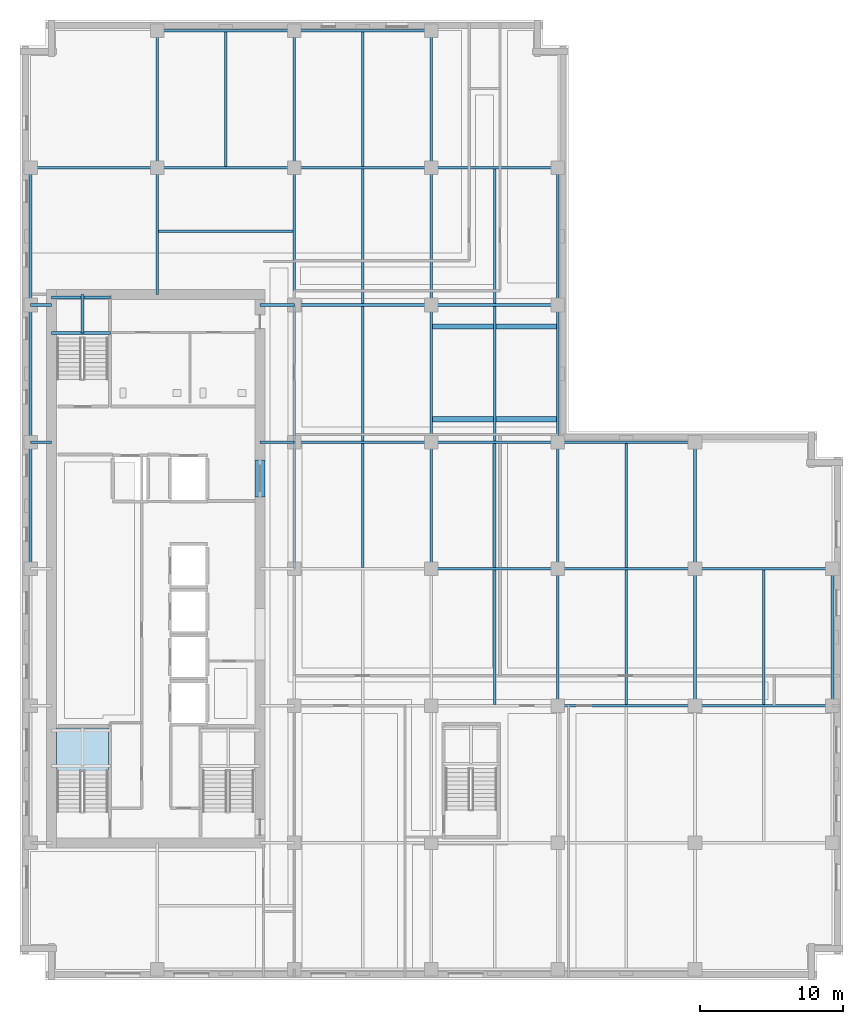
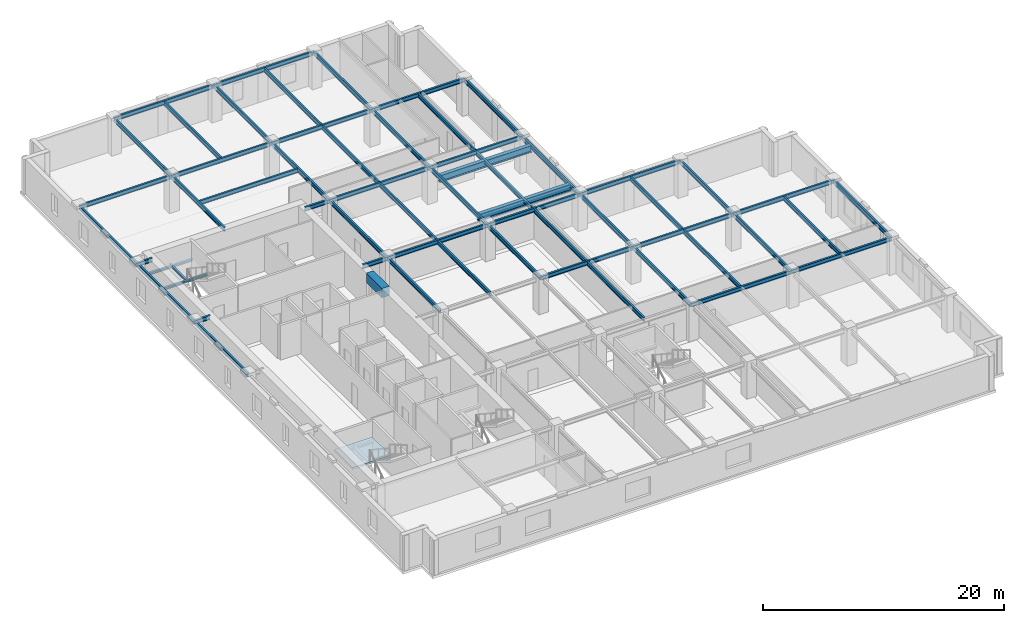
# One storey, part 2 of 13: 59 beams, 1 slab, 1 element without a shape of its own.
"""IFC4 building model written with IfcOpenShell, lengths in metres."""

from ifc_helpers import new_model, si_unit, direction, frame, origin, origin_2d, place, context, subcontext, project, spatial, polyline, rectangle, i_section, outline, extrude, material, layer, layer_set, material_profile, profile_set, type_object, element, aggregate, save


model = new_model("IFC4")

# Units and contexts
model_context = context("Model", 3, precision=1e-05, world=origin(), true_north=direction((0.0, 1.0)))
body_context = subcontext(model_context, "Body", "Model", "MODEL_VIEW")
ifc_project = project(units=[si_unit("LENGTHUNIT", "METRE"), si_unit("AREAUNIT", "SQUARE_METRE"), si_unit("VOLUMEUNIT", "CUBIC_METRE"), si_unit("PLANEANGLEUNIT", "RADIAN"), si_unit("MASSUNIT", "GRAM", prefix="KILO")], contexts=[model_context])

# Site, building, storey
site_placement = place(None, origin())
site = spatial("IfcSite", under=ifc_project, at=site_placement, CompositionType="ELEMENT")
building_placement = place(site_placement, origin())
building = spatial("IfcBuilding", under=site, at=building_placement, Name="Norrvale University Quadrangle", CompositionType="ELEMENT")
storey_placement = place(building_placement, frame((0.0, 0.0, 163.60009765625)))
storey = spatial("IfcBuildingStorey", under=building, at=storey_placement, Name="L41", CompositionType="ELEMENT", Elevation=163.60009765625)

# Beams
ifc_material_1 = material(Name="Steel 350W", Category="steel")
ifc_material_profile_1 = material_profile(ifc_material_1, i_section(OverallWidth=0.180908203125, OverallDepth=0.4169921875, WebThickness=0.010986328125, FlangeThickness=0.018310546875, FilletRadius=0.011962890625, at=origin_2d()), Name="Steel 350W")
ifc_profile_set_1 = profile_set([ifc_material_profile_1], Name="Steel 350W")
beam_type_1 = type_object("IfcBeamType", Name="Beam Atrium W410x85", PredefinedType="BEAM", material=ifc_profile_set_1)
for number, where, z_axis, x_axis, name in (
    (1, (37.64990234375, 19.199951171875, 3.331298828125), (1.0, 0.0, 0.0), (0.0, 1.0, 0.0), "Beam Atrium W410x85 BM-L41-GX011"),
    (2, (47.25, 19.199951171875, 3.331298828125), (1.0, 0.0, 0.0), (0.0, 1.0, 0.0), "Beam Atrium W410x85 BM-L41-GX012"),
):
    element("IfcBeam", number, at=place(storey_placement, frame(where, z_axis=z_axis, x_axis=x_axis)), inside=storey, type_object=beam_type_1, Name=name, PredefinedType="BEAM", context=body_context, shape_type="SweptSolid", body=[
        extrude(i_section(OverallWidth=0.180908203125, OverallDepth=0.4169921875, WebThickness=0.010986328125, FlangeThickness=0.018310546875, FilletRadius=0.011962890625, at=origin_2d()), origin(), (0.0, 0.0, 1.0), 9.60009765625),
    ])
beam_1_placement = place(storey_placement, frame((28.800048828125, 28.800048828125, 3.331298828125), z_axis=(1.0, 0.0, 0.0), x_axis=(0.0, 1.0, 0.0)))
element("IfcBeam", 3, at=beam_1_placement, inside=storey, type_object=beam_type_1, Name="Beam Atrium W410x85 BM-L41-GX014", PredefinedType="BEAM", context=body_context, shape_type="SweptSolid", body=[
    extrude(i_section(OverallWidth=0.180908203125, OverallDepth=0.4169921875, WebThickness=0.010986328125, FlangeThickness=0.018310546875, FilletRadius=0.011962890625, at=origin_2d()), origin(), (0.0, 0.0, 1.0), 8.849853515625),
])
for number, where, z_axis, x_axis, name in (
    (4, (37.64990234375, 28.800048828125, 3.331298828125), (1.0, 0.0, 0.0), (0.0, 1.0, 0.0), "Beam Atrium W410x85 BM-L41-GX015"),
    (5, (47.25, 28.800048828125, 3.331298828125), (1.0, 0.0, 0.0), (0.0, 1.0, 0.0), "Beam Atrium W410x85 BM-L41-GX016"),
    (6, (19.199951171875, 37.64990234375, 3.331298828125), (1.0, 0.0, 0.0), (0.0, 1.0, 0.0), "Beam Atrium W410x85 BM-L41-GX017"),
):
    element("IfcBeam", number, at=place(storey_placement, frame(where, z_axis=z_axis, x_axis=x_axis)), inside=storey, type_object=beam_type_1, Name=name, PredefinedType="BEAM", context=body_context, shape_type="SweptSolid", body=[
        extrude(i_section(OverallWidth=0.180908203125, OverallDepth=0.4169921875, WebThickness=0.010986328125, FlangeThickness=0.018310546875, FilletRadius=0.011962890625, at=origin_2d()), origin(), (0.0, 0.0, 1.0), 9.60009765625),
    ])
beam_2_placement = place(storey_placement, frame((28.800048828125, 37.64990234375, 3.331298828125), z_axis=(1.0, 0.0, 0.0), x_axis=(0.0, 1.0, 0.0)))
element("IfcBeam", 7, at=beam_2_placement, inside=storey, type_object=beam_type_1, Name="Beam Atrium W410x85 BM-L41-GX018", PredefinedType="BEAM", context=body_context, shape_type="SweptSolid", body=[
    extrude(i_section(OverallWidth=0.180908203125, OverallDepth=0.4169921875, WebThickness=0.010986328125, FlangeThickness=0.018310546875, FilletRadius=0.011962890625, at=origin_2d()), origin(), (0.0, 0.0, 1.0), 8.849853515625),
])
for number, where, z_axis, x_axis, name in (
    (8, (37.64990234375, 37.64990234375, 3.331298828125), (1.0, 0.0, 0.0), (0.0, 1.0, 0.0), "Beam Atrium W410x85 BM-L41-GX019"),
    (9, (19.199951171875, 47.25, 3.331298828125), (1.0, 0.0, 0.0), (0.0, 1.0, 0.0), "Beam Atrium W410x85 BM-L41-GX020"),
):
    element("IfcBeam", number, at=place(storey_placement, frame(where, z_axis=z_axis, x_axis=x_axis)), inside=storey, type_object=beam_type_1, Name=name, PredefinedType="BEAM", context=body_context, shape_type="SweptSolid", body=[
        extrude(i_section(OverallWidth=0.180908203125, OverallDepth=0.4169921875, WebThickness=0.010986328125, FlangeThickness=0.018310546875, FilletRadius=0.011962890625, at=origin_2d()), origin(), (0.0, 0.0, 1.0), 9.60009765625),
    ])
beam_3_placement = place(storey_placement, frame((28.800048828125, 47.25, 3.331298828125), z_axis=(1.0, 0.0, 0.0), x_axis=(0.0, 1.0, 0.0)))
element("IfcBeam", 10, at=beam_3_placement, inside=storey, type_object=beam_type_1, Name="Beam Atrium W410x85 BM-L41-GX021", PredefinedType="BEAM", context=body_context, shape_type="SweptSolid", body=[
    extrude(i_section(OverallWidth=0.180908203125, OverallDepth=0.4169921875, WebThickness=0.010986328125, FlangeThickness=0.018310546875, FilletRadius=0.011962890625, at=origin_2d()), origin(), (0.0, 0.0, 1.0), 8.849853515625),
])
beam_4_placement = place(storey_placement, frame((0.75, 56.85009765625, 3.331298828125), z_axis=(1.0, 0.0, 0.0), x_axis=(0.0, 1.0, 0.0)))
element("IfcBeam", 11, at=beam_4_placement, inside=storey, type_object=beam_type_1, Name="Beam Atrium W410x85 BM-L41-GX022", PredefinedType="BEAM", context=body_context, shape_type="SweptSolid", body=[
    extrude(i_section(OverallWidth=0.180908203125, OverallDepth=0.4169921875, WebThickness=0.010986328125, FlangeThickness=0.018310546875, FilletRadius=0.011962890625, at=origin_2d()), origin(), (0.0, 0.0, 1.0), 8.85009765625),
])
beam_5_placement = place(storey_placement, frame((9.60009765625, 56.85009765625, 3.331298828125), z_axis=(1.0, 0.0, 0.0), x_axis=(0.0, 1.0, 0.0)))
element("IfcBeam", 12, at=beam_5_placement, inside=storey, type_object=beam_type_1, Name="Beam Atrium W410x85 BM-L41-GX023", PredefinedType="BEAM", context=body_context, shape_type="SweptSolid", body=[
    extrude(i_section(OverallWidth=0.180908203125, OverallDepth=0.4169921875, WebThickness=0.010986328125, FlangeThickness=0.018310546875, FilletRadius=0.011962890625, at=origin_2d()), origin(), (0.0, 0.0, 1.0), 9.599853515625),
])
beam_6_placement = place(storey_placement, frame((19.199951171875, 56.85009765625, 3.331298828125), z_axis=(1.0, 0.0, 0.0), x_axis=(0.0, 1.0, 0.0)))
element("IfcBeam", 13, at=beam_6_placement, inside=storey, type_object=beam_type_1, Name="Beam Atrium W410x85 BM-L41-GX024", PredefinedType="BEAM", context=body_context, shape_type="SweptSolid", body=[
    extrude(i_section(OverallWidth=0.180908203125, OverallDepth=0.4169921875, WebThickness=0.010986328125, FlangeThickness=0.018310546875, FilletRadius=0.011962890625, at=origin_2d()), origin(), (0.0, 0.0, 1.0), 9.60009765625),
])
beam_7_placement = place(storey_placement, frame((28.800048828125, 56.85009765625, 3.331298828125), z_axis=(1.0, 0.0, 0.0), x_axis=(0.0, 1.0, 0.0)))
element("IfcBeam", 14, at=beam_7_placement, inside=storey, type_object=beam_type_1, Name="Beam Atrium W410x85 BM-L41-GX025", PredefinedType="BEAM", context=body_context, shape_type="SweptSolid", body=[
    extrude(i_section(OverallWidth=0.180908203125, OverallDepth=0.4169921875, WebThickness=0.010986328125, FlangeThickness=0.018310546875, FilletRadius=0.011962890625, at=origin_2d()), origin(), (0.0, 0.0, 1.0), 8.849853515625),
])
beam_8_placement = place(storey_placement, frame((9.60009765625, 66.449951171875, 3.331298828125), z_axis=(1.0, 0.0, 0.0), x_axis=(0.0, 1.0, 0.0)))
element("IfcBeam", 15, at=beam_8_placement, inside=storey, type_object=beam_type_1, Name="Beam Atrium W410x85 BM-L41-GX026", PredefinedType="BEAM", context=body_context, shape_type="SweptSolid", body=[
    extrude(i_section(OverallWidth=0.180908203125, OverallDepth=0.4169921875, WebThickness=0.010986328125, FlangeThickness=0.018310546875, FilletRadius=0.011962890625, at=origin_2d()), origin(), (0.0, 0.0, 1.0), 9.599853515625),
])
beam_9_placement = place(storey_placement, frame((19.199951171875, 66.449951171875, 3.331298828125), z_axis=(1.0, 0.0, 0.0), x_axis=(0.0, 1.0, 0.0)))
element("IfcBeam", 16, at=beam_9_placement, inside=storey, type_object=beam_type_1, Name="Beam Atrium W410x85 BM-L41-GX027", PredefinedType="BEAM", context=body_context, shape_type="SweptSolid", body=[
    extrude(i_section(OverallWidth=0.180908203125, OverallDepth=0.4169921875, WebThickness=0.010986328125, FlangeThickness=0.018310546875, FilletRadius=0.011962890625, at=origin_2d()), origin(), (0.0, 0.0, 1.0), 9.60009765625),
])
beam_10_placement = place(storey_placement, frame((0.75, 28.800048828125, 3.331298828125), z_axis=(0.0, 1.0, 0.0), x_axis=(-1.0, 0.0, 0.0)))
element("IfcBeam", 17, at=beam_10_placement, inside=storey, type_object=beam_type_1, Name="Beam Atrium W410x85 BM-L41-GY030", PredefinedType="BEAM", context=body_context, shape_type="SweptSolid", body=[
    extrude(i_section(OverallWidth=0.180908203125, OverallDepth=0.4169921875, WebThickness=0.010986328125, FlangeThickness=0.018310546875, FilletRadius=0.011962890625, at=origin_2d()), origin(), (0.0, 0.0, 1.0), 8.849853515625),
])
for number, where, z_axis, x_axis, name in (
    (18, (0.75, 37.64990234375, 3.331298828125), (0.0, 1.0, 0.0), (-1.0, 0.0, 0.0), "Beam Atrium W410x85 BM-L41-GY031"),
    (19, (0.75, 47.25, 3.331298828125), (0.0, 1.0, 0.0), (-1.0, 0.0, 0.0), "Beam Atrium W410x85 BM-L41-GY032"),
):
    element("IfcBeam", number, at=place(storey_placement, frame(where, z_axis=z_axis, x_axis=x_axis)), inside=storey, type_object=beam_type_1, Name=name, PredefinedType="BEAM", context=body_context, shape_type="SweptSolid", body=[
        extrude(i_section(OverallWidth=0.180908203125, OverallDepth=0.4169921875, WebThickness=0.010986328125, FlangeThickness=0.018310546875, FilletRadius=0.011962890625, at=origin_2d()), origin(), (0.0, 0.0, 1.0), 9.60009765625),
    ])
beam_11_placement = place(storey_placement, frame((9.60009765625, 56.85009765625, 3.331298828125), z_axis=(0.0, 1.0, 0.0), x_axis=(-1.0, 0.0, 0.0)))
element("IfcBeam", 20, at=beam_11_placement, inside=storey, type_object=beam_type_1, Name="Beam Atrium W410x85 BM-L41-GY033", PredefinedType="BEAM", context=body_context, shape_type="SweptSolid", body=[
    extrude(i_section(OverallWidth=0.180908203125, OverallDepth=0.4169921875, WebThickness=0.010986328125, FlangeThickness=0.018310546875, FilletRadius=0.011962890625, at=origin_2d()), origin(), (0.0, 0.0, 1.0), 9.599853515625),
])
beam_12_placement = place(storey_placement, frame((19.199951171875, 28.800048828125, 3.331298828125), z_axis=(0.0, 1.0, 0.0), x_axis=(-1.0, 0.0, 0.0)))
element("IfcBeam", 21, at=beam_12_placement, inside=storey, type_object=beam_type_1, Name="Beam Atrium W410x85 BM-L41-GY037", PredefinedType="BEAM", context=body_context, shape_type="SweptSolid", body=[
    extrude(i_section(OverallWidth=0.180908203125, OverallDepth=0.4169921875, WebThickness=0.010986328125, FlangeThickness=0.018310546875, FilletRadius=0.011962890625, at=origin_2d()), origin(), (0.0, 0.0, 1.0), 8.849853515625),
])
for number, where, z_axis, x_axis, name in (
    (22, (19.199951171875, 37.64990234375, 3.331298828125), (0.0, 1.0, 0.0), (-1.0, 0.0, 0.0), "Beam Atrium W410x85 BM-L41-GY038"),
    (23, (19.199951171875, 47.25, 3.331298828125), (0.0, 1.0, 0.0), (-1.0, 0.0, 0.0), "Beam Atrium W410x85 BM-L41-GY039"),
):
    element("IfcBeam", number, at=place(storey_placement, frame(where, z_axis=z_axis, x_axis=x_axis)), inside=storey, type_object=beam_type_1, Name=name, PredefinedType="BEAM", context=body_context, shape_type="SweptSolid", body=[
        extrude(i_section(OverallWidth=0.180908203125, OverallDepth=0.4169921875, WebThickness=0.010986328125, FlangeThickness=0.018310546875, FilletRadius=0.011962890625, at=origin_2d()), origin(), (0.0, 0.0, 1.0), 9.60009765625),
    ])
beam_13_placement = place(storey_placement, frame((19.199951171875, 56.85009765625, 3.331298828125), z_axis=(0.0, 1.0, 0.0), x_axis=(-1.0, 0.0, 0.0)))
element("IfcBeam", 24, at=beam_13_placement, inside=storey, type_object=beam_type_1, Name="Beam Atrium W410x85 BM-L41-GY040", PredefinedType="BEAM", context=body_context, shape_type="SweptSolid", body=[
    extrude(i_section(OverallWidth=0.180908203125, OverallDepth=0.4169921875, WebThickness=0.010986328125, FlangeThickness=0.018310546875, FilletRadius=0.011962890625, at=origin_2d()), origin(), (0.0, 0.0, 1.0), 9.599853515625),
])
beam_14_placement = place(storey_placement, frame((28.800048828125, 28.800048828125, 3.331298828125), z_axis=(0.0, 1.0, 0.0), x_axis=(-1.0, 0.0, 0.0)))
element("IfcBeam", 25, at=beam_14_placement, inside=storey, type_object=beam_type_1, Name="Beam Atrium W410x85 BM-L41-GY044", PredefinedType="BEAM", context=body_context, shape_type="SweptSolid", body=[
    extrude(i_section(OverallWidth=0.180908203125, OverallDepth=0.4169921875, WebThickness=0.010986328125, FlangeThickness=0.018310546875, FilletRadius=0.011962890625, at=origin_2d()), origin(), (0.0, 0.0, 1.0), 8.849853515625),
])
for number, where, z_axis, x_axis, name in (
    (26, (28.800048828125, 37.64990234375, 3.331298828125), (0.0, 1.0, 0.0), (-1.0, 0.0, 0.0), "Beam Atrium W410x85 BM-L41-GY045"),
    (27, (28.800048828125, 47.25, 3.331298828125), (0.0, 1.0, 0.0), (-1.0, 0.0, 0.0), "Beam Atrium W410x85 BM-L41-GY046"),
):
    element("IfcBeam", number, at=place(storey_placement, frame(where, z_axis=z_axis, x_axis=x_axis)), inside=storey, type_object=beam_type_1, Name=name, PredefinedType="BEAM", context=body_context, shape_type="SweptSolid", body=[
        extrude(i_section(OverallWidth=0.180908203125, OverallDepth=0.4169921875, WebThickness=0.010986328125, FlangeThickness=0.018310546875, FilletRadius=0.011962890625, at=origin_2d()), origin(), (0.0, 0.0, 1.0), 9.60009765625),
    ])
beam_15_placement = place(storey_placement, frame((28.800048828125, 56.85009765625, 3.331298828125), z_axis=(0.0, 1.0, 0.0), x_axis=(-1.0, 0.0, 0.0)))
element("IfcBeam", 28, at=beam_15_placement, inside=storey, type_object=beam_type_1, Name="Beam Atrium W410x85 BM-L41-GY047", PredefinedType="BEAM", context=body_context, shape_type="SweptSolid", body=[
    extrude(i_section(OverallWidth=0.180908203125, OverallDepth=0.4169921875, WebThickness=0.010986328125, FlangeThickness=0.018310546875, FilletRadius=0.011962890625, at=origin_2d()), origin(), (0.0, 0.0, 1.0), 9.599853515625),
])
beam_16_placement = place(storey_placement, frame((37.64990234375, 19.199951171875, 3.331298828125), z_axis=(0.0, 1.0, 0.0), x_axis=(-1.0, 0.0, 0.0)))
element("IfcBeam", 29, at=beam_16_placement, inside=storey, type_object=beam_type_1, Name="Beam Atrium W410x85 BM-L41-GY050", PredefinedType="BEAM", context=body_context, shape_type="SweptSolid", body=[
    extrude(i_section(OverallWidth=0.180908203125, OverallDepth=0.4169921875, WebThickness=0.010986328125, FlangeThickness=0.018310546875, FilletRadius=0.011962890625, at=origin_2d()), origin(), (0.0, 0.0, 1.0), 9.60009765625),
])
beam_17_placement = place(storey_placement, frame((37.64990234375, 28.800048828125, 3.331298828125), z_axis=(0.0, 1.0, 0.0), x_axis=(-1.0, 0.0, 0.0)))
element("IfcBeam", 30, at=beam_17_placement, inside=storey, type_object=beam_type_1, Name="Beam Atrium W410x85 BM-L41-GY051", PredefinedType="BEAM", context=body_context, shape_type="SweptSolid", body=[
    extrude(i_section(OverallWidth=0.180908203125, OverallDepth=0.4169921875, WebThickness=0.010986328125, FlangeThickness=0.018310546875, FilletRadius=0.011962890625, at=origin_2d()), origin(), (0.0, 0.0, 1.0), 8.849853515625),
])
for number, where, z_axis, x_axis, name in (
    (31, (37.64990234375, 37.64990234375, 3.29150390625), (0.0, 1.0, 0.0), (-1.0, 0.0, 0.0), "Beam Atrium W410x85 BM-L41-GY052"),
    (32, (37.64990234375, 47.25, 3.331298828125), (0.0, 1.0, 0.0), (-1.0, 0.0, 0.0), "Beam Atrium W410x85 BM-L41-GY053"),
    (33, (47.25, 19.199951171875, 3.331298828125), (0.0, 1.0, 0.0), (-1.0, 0.0, 0.0), "Beam Atrium W410x85 BM-L41-GY056"),
):
    element("IfcBeam", number, at=place(storey_placement, frame(where, z_axis=z_axis, x_axis=x_axis)), inside=storey, type_object=beam_type_1, Name=name, PredefinedType="BEAM", context=body_context, shape_type="SweptSolid", body=[
        extrude(i_section(OverallWidth=0.180908203125, OverallDepth=0.4169921875, WebThickness=0.010986328125, FlangeThickness=0.018310546875, FilletRadius=0.011962890625, at=origin_2d()), origin(), (0.0, 0.0, 1.0), 9.60009765625),
    ])
beam_18_placement = place(storey_placement, frame((47.25, 28.800048828125, 3.331298828125), z_axis=(0.0, 1.0, 0.0), x_axis=(-1.0, 0.0, 0.0)))
element("IfcBeam", 34, at=beam_18_placement, inside=storey, type_object=beam_type_1, Name="Beam Atrium W410x85 BM-L41-GY057", PredefinedType="BEAM", context=body_context, shape_type="SweptSolid", body=[
    extrude(i_section(OverallWidth=0.180908203125, OverallDepth=0.4169921875, WebThickness=0.010986328125, FlangeThickness=0.018310546875, FilletRadius=0.011962890625, at=origin_2d()), origin(), (0.0, 0.0, 1.0), 8.849853515625),
])
beam_19_placement = place(storey_placement, frame((56.85009765625, 19.199951171875, 3.331298828125), z_axis=(0.0, 1.0, 0.0), x_axis=(-1.0, 0.0, 0.0)))
element("IfcBeam", 35, at=beam_19_placement, inside=storey, type_object=beam_type_1, Name="Beam Atrium W410x85 BM-L41-GY059", PredefinedType="BEAM", context=body_context, shape_type="SweptSolid", body=[
    extrude(i_section(OverallWidth=0.180908203125, OverallDepth=0.4169921875, WebThickness=0.010986328125, FlangeThickness=0.018310546875, FilletRadius=0.011962890625, at=origin_2d()), origin(), (0.0, 0.0, 1.0), 9.60009765625),
])
beam_20_placement = place(storey_placement, frame((0.75, 37.64990234375, 3.331298828125), z_axis=(1.0, 0.0, 0.0), x_axis=(0.0, 1.0, 0.0)))
element("IfcBeam", 36, at=beam_20_placement, inside=storey, type_object=beam_type_1, Name="Beam Atrium W410x85 BM-L41-GCW066", PredefinedType="BEAM", context=body_context, shape_type="SweptSolid", body=[
    extrude(i_section(OverallWidth=0.180908203125, OverallDepth=0.4169921875, WebThickness=0.010986328125, FlangeThickness=0.018310546875, FilletRadius=0.011962890625, at=origin_2d()), origin(), (0.0, 0.0, 1.0), 1.449951171875),
])
beam_21_placement = place(storey_placement, frame((16.800048828125, 37.64990234375, 3.331298828125), z_axis=(1.0, 0.0, 0.0), x_axis=(0.0, 1.0, 0.0)))
element("IfcBeam", 37, at=beam_21_placement, inside=storey, type_object=beam_type_1, Name="Beam Atrium W410x85 BM-L41-GCE067", PredefinedType="BEAM", context=body_context, shape_type="SweptSolid", body=[
    extrude(i_section(OverallWidth=0.180908203125, OverallDepth=0.4169921875, WebThickness=0.010986328125, FlangeThickness=0.018310546875, FilletRadius=0.011962890625, at=origin_2d()), origin(), (0.0, 0.0, 1.0), 2.39990234375),
])
beam_22_placement = place(storey_placement, frame((0.75, 47.25, 3.331298828125), z_axis=(1.0, 0.0, 0.0), x_axis=(0.0, 1.0, 0.0)))
element("IfcBeam", 38, at=beam_22_placement, inside=storey, type_object=beam_type_1, Name="Beam Atrium W410x85 BM-L41-GCW068", PredefinedType="BEAM", context=body_context, shape_type="SweptSolid", body=[
    extrude(i_section(OverallWidth=0.180908203125, OverallDepth=0.4169921875, WebThickness=0.010986328125, FlangeThickness=0.018310546875, FilletRadius=0.011962890625, at=origin_2d()), origin(), (0.0, 0.0, 1.0), 1.449951171875),
])
beam_23_placement = place(storey_placement, frame((16.800048828125, 47.25, 3.331298828125), z_axis=(1.0, 0.0, 0.0), x_axis=(0.0, 1.0, 0.0)))
element("IfcBeam", 39, at=beam_23_placement, inside=storey, type_object=beam_type_1, Name="Beam Atrium W410x85 BM-L41-GCE069", PredefinedType="BEAM", context=body_context, shape_type="SweptSolid", body=[
    extrude(i_section(OverallWidth=0.180908203125, OverallDepth=0.4169921875, WebThickness=0.010986328125, FlangeThickness=0.018310546875, FilletRadius=0.011962890625, at=origin_2d()), origin(), (0.0, 0.0, 1.0), 2.39990234375),
])
beam_24_placement = place(storey_placement, frame((9.60009765625, 48.0, 3.331298828125), z_axis=(0.0, 1.0, 0.0), x_axis=(-1.0, 0.0, 0.0)))
element("IfcBeam", 40, at=beam_24_placement, inside=storey, type_object=beam_type_1, Name="Beam Atrium W410x85 BM-L41-GCN091", PredefinedType="BEAM", context=body_context, shape_type="SweptSolid", body=[
    extrude(i_section(OverallWidth=0.180908203125, OverallDepth=0.4169921875, WebThickness=0.010986328125, FlangeThickness=0.018310546875, FilletRadius=0.011962890625, at=origin_2d()), origin(), (0.0, 0.0, 1.0), 8.85009765625),
])
ifc_material_profile_2 = material_profile(ifc_material_1, i_section(OverallWidth=0.35498046875, OverallDepth=0.695068359375, WebThickness=0.015380859375, FlangeThickness=0.02490234375, FilletRadius=0.01806640625, at=origin_2d()), Name="Steel 350W")
ifc_profile_set_2 = profile_set([ifc_material_profile_2], Name="Steel 350W")
beam_type_2 = type_object("IfcBeamType", Name="Beam Belt W690x217", PredefinedType="BEAM", material=ifc_profile_set_2)
for number, where, z_axis, x_axis, name in (
    (41, (28.800048828125, 39.25, 3.15234375), (1.0, 0.0, 0.0), (0.0, 1.0, 0.0), "Sky Garden Loggia Edge Girder L42-1"),
    (42, (28.800048828125, 45.75, 3.15234375), (1.0, 0.0, 0.0), (0.0, 1.0, 0.0), "Sky Garden Loggia Edge Girder L42-2"),
):
    element("IfcBeam", number, at=place(storey_placement, frame(where, z_axis=z_axis, x_axis=x_axis)), inside=storey, type_object=beam_type_2, Name=name, PredefinedType="BEAM", context=body_context, shape_type="SweptSolid", body=[
        extrude(i_section(OverallWidth=0.35498046875, OverallDepth=0.695068359375, WebThickness=0.015380859375, FlangeThickness=0.02490234375, FilletRadius=0.01806640625, at=origin_2d()), origin(), (0.0, 0.0, 1.0), 8.849853515625),
    ])
ifc_material_2 = material(Name="Concrete C80/95", Category="concrete")
ifc_material_profile_3 = material_profile(ifc_material_2, rectangle(XDim=0.699951171875, YDim=0.949951171875, at=origin_2d()), Name="Concrete C80/95")
ifc_profile_set_3 = profile_set([ifc_material_profile_3], Name="Concrete C80/95")
beam_type_3 = type_object("IfcBeamType", Name="Beam Core Link 700x950", PredefinedType="LINTEL", material=ifc_profile_set_3)
beam_25_placement = place(storey_placement, frame((16.800048828125, 33.800048828125, 3.06494140625), z_axis=(0.0, 1.0, 0.0), x_axis=(-1.0, 0.0, 0.0)))
element("IfcBeam", 43, at=beam_25_placement, inside=storey, type_object=beam_type_3, Name="Core Coupling Lintel Beam L41-2", PredefinedType="LINTEL", context=body_context, shape_type="SweptSolid", body=[
    extrude(rectangle(XDim=0.699951171875, YDim=0.949951171875, at=origin_2d()), origin(), (0.0, 0.0, 1.0), 2.599853515625),
])
ifc_material_profile_4 = material_profile(ifc_material_1, i_section(OverallWidth=0.177978515625, OverallDepth=0.406982421875, WebThickness=0.0078125, FlangeThickness=0.0126953125, FilletRadius=0.011962890625, at=origin_2d()), Name="Steel 350W")
ifc_profile_set_4 = profile_set([ifc_material_profile_4], Name="Steel 350W")
beam_type_4 = type_object("IfcBeamType", Name="Beam Roof Purlin W410x60", PredefinedType="USERDEFINED", material=ifc_profile_set_4)
beam_26_placement = place(storey_placement, frame((14.39990234375, 56.9404296875, 3.33642578125), z_axis=(0.0, 1.0, 0.0), x_axis=(-1.0, 0.0, 0.0)))
element("IfcBeam", 44, at=beam_26_placement, inside=storey, type_object=beam_type_4, Name="Beam Roof Purlin W410x60 BM-L41-J070", ObjectType="PURLIN", PredefinedType="USERDEFINED", context=body_context, shape_type="SweptSolid", body=[
    extrude(i_section(OverallWidth=0.177978515625, OverallDepth=0.406982421875, WebThickness=0.0078125, FlangeThickness=0.0126953125, FilletRadius=0.011962890625, at=origin_2d()), origin(), (0.0, 0.0, 1.0), 9.419189453125),
])
beam_27_placement = place(storey_placement, frame((24.0, 28.890380859375, 3.33642578125), z_axis=(0.0, 1.0, 0.0), x_axis=(-1.0, 0.0, 0.0)))
element("IfcBeam", 45, at=beam_27_placement, inside=storey, type_object=beam_type_4, Name="Beam Roof Purlin W410x60 BM-L41-J074", ObjectType="PURLIN", PredefinedType="USERDEFINED", context=body_context, shape_type="SweptSolid", body=[
    extrude(i_section(OverallWidth=0.177978515625, OverallDepth=0.406982421875, WebThickness=0.0078125, FlangeThickness=0.0126953125, FilletRadius=0.011962890625, at=origin_2d()), origin(), (0.0, 0.0, 1.0), 8.669189453125),
])
for number, where, z_axis, x_axis, name in (
    (46, (24.0, 37.740478515625, 3.33642578125), (0.0, 1.0, 0.0), (-1.0, 0.0, 0.0), "Beam Roof Purlin W410x60 BM-L41-J075"),
    (47, (24.0, 47.340576171875, 3.33642578125), (0.0, 1.0, 0.0), (-1.0, 0.0, 0.0), "Beam Roof Purlin W410x60 BM-L41-J076"),
):
    element("IfcBeam", number, at=place(storey_placement, frame(where, z_axis=z_axis, x_axis=x_axis)), inside=storey, type_object=beam_type_4, Name=name, ObjectType="PURLIN", PredefinedType="USERDEFINED", context=body_context, shape_type="SweptSolid", body=[
        extrude(i_section(OverallWidth=0.177978515625, OverallDepth=0.406982421875, WebThickness=0.0078125, FlangeThickness=0.0126953125, FilletRadius=0.011962890625, at=origin_2d()), origin(), (0.0, 0.0, 1.0), 9.4189453125),
    ])
beam_28_placement = place(storey_placement, frame((24.0, 56.9404296875, 3.33642578125), z_axis=(0.0, 1.0, 0.0), x_axis=(-1.0, 0.0, 0.0)))
element("IfcBeam", 48, at=beam_28_placement, inside=storey, type_object=beam_type_4, Name="Beam Roof Purlin W410x60 BM-L41-J077", ObjectType="PURLIN", PredefinedType="USERDEFINED", context=body_context, shape_type="SweptSolid", body=[
    extrude(i_section(OverallWidth=0.177978515625, OverallDepth=0.406982421875, WebThickness=0.0078125, FlangeThickness=0.0126953125, FilletRadius=0.011962890625, at=origin_2d()), origin(), (0.0, 0.0, 1.0), 9.419189453125),
])
beam_29_placement = place(storey_placement, frame((33.22509765625, 19.29052734375, 3.33642578125), z_axis=(0.0, 1.0, 0.0), x_axis=(-1.0, 0.0, 0.0)))
element("IfcBeam", 49, at=beam_29_placement, inside=storey, type_object=beam_type_4, Name="Beam Roof Purlin W410x60 BM-L41-J079", ObjectType="PURLIN", PredefinedType="USERDEFINED", context=body_context, shape_type="SweptSolid", body=[
    extrude(i_section(OverallWidth=0.177978515625, OverallDepth=0.406982421875, WebThickness=0.0078125, FlangeThickness=0.0126953125, FilletRadius=0.011962890625, at=origin_2d()), origin(), (0.0, 0.0, 1.0), 9.4189453125),
])
beam_30_placement = place(storey_placement, frame((33.22509765625, 28.890380859375, 3.33642578125), z_axis=(0.0, 1.0, 0.0), x_axis=(-1.0, 0.0, 0.0)))
element("IfcBeam", 50, at=beam_30_placement, inside=storey, type_object=beam_type_4, Name="Beam Roof Purlin W410x60 BM-L41-J080", ObjectType="PURLIN", PredefinedType="USERDEFINED", context=body_context, shape_type="SweptSolid", body=[
    extrude(i_section(OverallWidth=0.177978515625, OverallDepth=0.406982421875, WebThickness=0.0078125, FlangeThickness=0.0126953125, FilletRadius=0.011962890625, at=origin_2d()), origin(), (0.0, 0.0, 1.0), 8.669189453125),
])
for number, where, z_axis, x_axis, name in (
    (51, (33.22509765625, 37.740478515625, 3.29638671875), (0.0, 1.0, 0.0), (-1.0, 0.0, 0.0), "Beam Roof Purlin W410x60 BM-L41-J081"),
    (52, (33.22509765625, 47.340576171875, 3.33642578125), (0.0, 1.0, 0.0), (-1.0, 0.0, 0.0), "Beam Roof Purlin W410x60 BM-L41-J082"),
    (53, (42.449951171875, 19.29052734375, 3.33642578125), (0.0, 1.0, 0.0), (-1.0, 0.0, 0.0), "Beam Roof Purlin W410x60 BM-L41-J085"),
):
    element("IfcBeam", number, at=place(storey_placement, frame(where, z_axis=z_axis, x_axis=x_axis)), inside=storey, type_object=beam_type_4, Name=name, ObjectType="PURLIN", PredefinedType="USERDEFINED", context=body_context, shape_type="SweptSolid", body=[
        extrude(i_section(OverallWidth=0.177978515625, OverallDepth=0.406982421875, WebThickness=0.0078125, FlangeThickness=0.0126953125, FilletRadius=0.011962890625, at=origin_2d()), origin(), (0.0, 0.0, 1.0), 9.4189453125),
    ])
beam_31_placement = place(storey_placement, frame((42.449951171875, 28.890380859375, 3.33642578125), z_axis=(0.0, 1.0, 0.0), x_axis=(-1.0, 0.0, 0.0)))
element("IfcBeam", 54, at=beam_31_placement, inside=storey, type_object=beam_type_4, Name="Beam Roof Purlin W410x60 BM-L41-J086", ObjectType="PURLIN", PredefinedType="USERDEFINED", context=body_context, shape_type="SweptSolid", body=[
    extrude(i_section(OverallWidth=0.177978515625, OverallDepth=0.406982421875, WebThickness=0.0078125, FlangeThickness=0.0126953125, FilletRadius=0.011962890625, at=origin_2d()), origin(), (0.0, 0.0, 1.0), 8.669189453125),
])
beam_32_placement = place(storey_placement, frame((52.050048828125, 19.29052734375, 3.33642578125), z_axis=(0.0, 1.0, 0.0), x_axis=(-1.0, 0.0, 0.0)))
element("IfcBeam", 55, at=beam_32_placement, inside=storey, type_object=beam_type_4, Name="Beam Roof Purlin W410x60 BM-L41-J088", ObjectType="PURLIN", PredefinedType="USERDEFINED", context=body_context, shape_type="SweptSolid", body=[
    extrude(i_section(OverallWidth=0.177978515625, OverallDepth=0.406982421875, WebThickness=0.0078125, FlangeThickness=0.0126953125, FilletRadius=0.011962890625, at=origin_2d()), origin(), (0.0, 0.0, 1.0), 9.4189453125),
])
beam_33_placement = place(storey_placement, frame((9.6904296875, 52.39990234375, 3.33642578125), z_axis=(1.0, 0.0, 0.0), x_axis=(0.0, 1.0, 0.0)))
element("IfcBeam", 56, at=beam_33_placement, inside=storey, type_object=beam_type_4, Name="Beam Roof Purlin W410x60 BM-L41-JCN092", ObjectType="PURLIN", PredefinedType="USERDEFINED", context=body_context, shape_type="SweptSolid", body=[
    extrude(i_section(OverallWidth=0.177978515625, OverallDepth=0.406982421875, WebThickness=0.0078125, FlangeThickness=0.0126953125, FilletRadius=0.011962890625, at=origin_2d()), origin(), (0.0, 0.0, 1.0), 9.419189453125),
])
ifc_material_profile_5 = material_profile(ifc_material_1, i_section(OverallWidth=0.201904296875, OverallDepth=0.2470703125, WebThickness=0.00732421875, FlangeThickness=0.010986328125, FilletRadius=0.011962890625, at=origin_2d()), Name="Steel 350W")
ifc_profile_set_5 = profile_set([ifc_material_profile_5], Name="Steel 350W")
beam_type_5 = type_object("IfcBeamType", Name="Beam Stair W250x49", PredefinedType="BEAM", material=ifc_profile_set_5)
for number, where, z_axis, x_axis, name in (
    (57, (2.199951171875, 45.2900390625, 1.576416015625), (1.0, 0.0, 0.0), (0.0, 1.0, 0.0), "Stair Mid-Landing Front Beam ST-02 L41"),
    (58, (2.199951171875, 47.77001953125, 1.576416015625), (1.0, 0.0, 0.0), (0.0, 1.0, 0.0), "Stair Mid-Landing Rear Beam ST-02 L41"),
):
    element("IfcBeam", number, at=place(storey_placement, frame(where, z_axis=z_axis, x_axis=x_axis)), inside=storey, type_object=beam_type_5, Name=name, PredefinedType="BEAM", context=body_context, shape_type="SweptSolid", body=[
        extrude(i_section(OverallWidth=0.201904296875, OverallDepth=0.2470703125, WebThickness=0.00732421875, FlangeThickness=0.010986328125, FilletRadius=0.011962890625, at=origin_2d()), origin(), (0.0, 0.0, 1.0), 4.14013671875),
    ])
ifc_material_profile_6 = material_profile(ifc_material_1, i_section(OverallWidth=0.202880859375, OverallDepth=0.202880859375, WebThickness=0.007080078125, FlangeThickness=0.010986328125, FilletRadius=0.010009765625, at=origin_2d()), Name="Steel 350W")
ifc_profile_set_6 = profile_set([ifc_material_profile_6], Name="Steel 350W")
beam_type_6 = type_object("IfcBeamType", Name="Beam Trim W200x46", PredefinedType="BEAM", material=ifc_profile_set_6)
beam_34_placement = place(storey_placement, frame((4.375, 45.2900390625, 1.598388671875), z_axis=(0.0, 1.0, 0.0), x_axis=(-1.0, 0.0, 0.0)))
element("IfcBeam", 59, at=beam_34_placement, inside=storey, type_object=beam_type_6, Name="Stair Mid-Landing Cross Beam ST-02 L41", PredefinedType="BEAM", context=body_context, shape_type="SweptSolid", body=[
    extrude(i_section(OverallWidth=0.202880859375, OverallDepth=0.202880859375, WebThickness=0.007080078125, FlangeThickness=0.010986328125, FilletRadius=0.010009765625, at=origin_2d()), origin(), (0.0, 0.0, 1.0), 2.7099609375),
])

# Stair, slab
ifc_material_3 = material(Name="Concrete C40/50", Category="concrete")
stair_type = type_object("IfcStairType", Name="Stair Tower Typ 3800", PredefinedType="TWO_STRAIGHT_RUN_STAIR", material=ifc_material_3)
stair_placement = place(storey_placement, origin())
stair = element("IfcStair", 60, at=stair_placement, inside=storey, type_object=stair_type, Name="Exit Stair ST-01 L41", PredefinedType="TWO_STRAIGHT_RUN_STAIR")
ifc_layer = layer(ifc_material_3, 0.199951171875, Name="Concrete C40/50")
ifc_layer_set = layer_set([ifc_layer], Name="Concrete C40/50")
slab_type = type_object("IfcSlabType", Name="Slab Landing 200", PredefinedType="LANDING", material=ifc_layer_set)
slab_placement = place(storey_placement, frame((0.0, 0.0, 1.699951171875)))
slab = element("IfcSlab", 61, at=slab_placement, type_object=slab_type, Name="Exit Stair ST-01 L41 Mid Landing", PredefinedType="LANDING", context=body_context, shape_type="SweptSolid", body=[
    extrude(outline(polyline([(2.550048828125, 14.590087890625), (6.199951171875, 14.590087890625), (6.199951171875, 17.64990234375), (2.550048828125, 17.64990234375), (2.550048828125, 14.590087890625)])), origin(), (0.0, 0.0, 1.0), 0.199951171875),
])
aggregate(stair, [slab])

save(model, "model.ifc")
